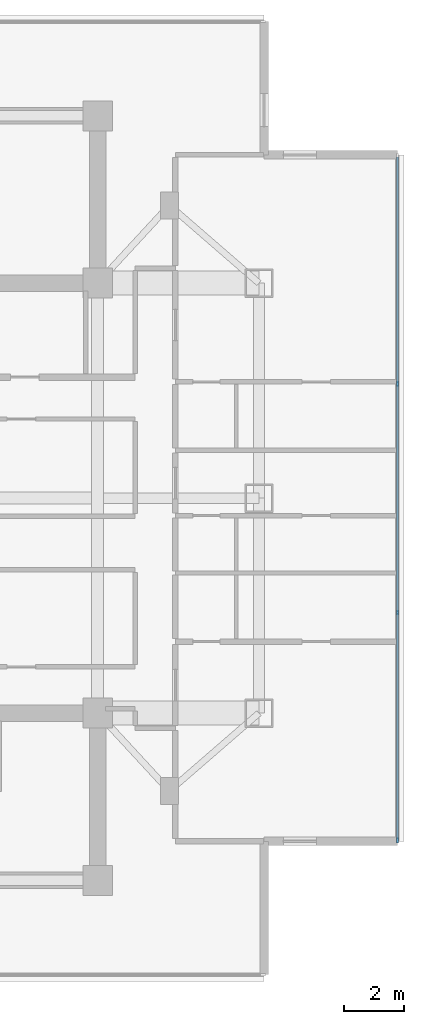
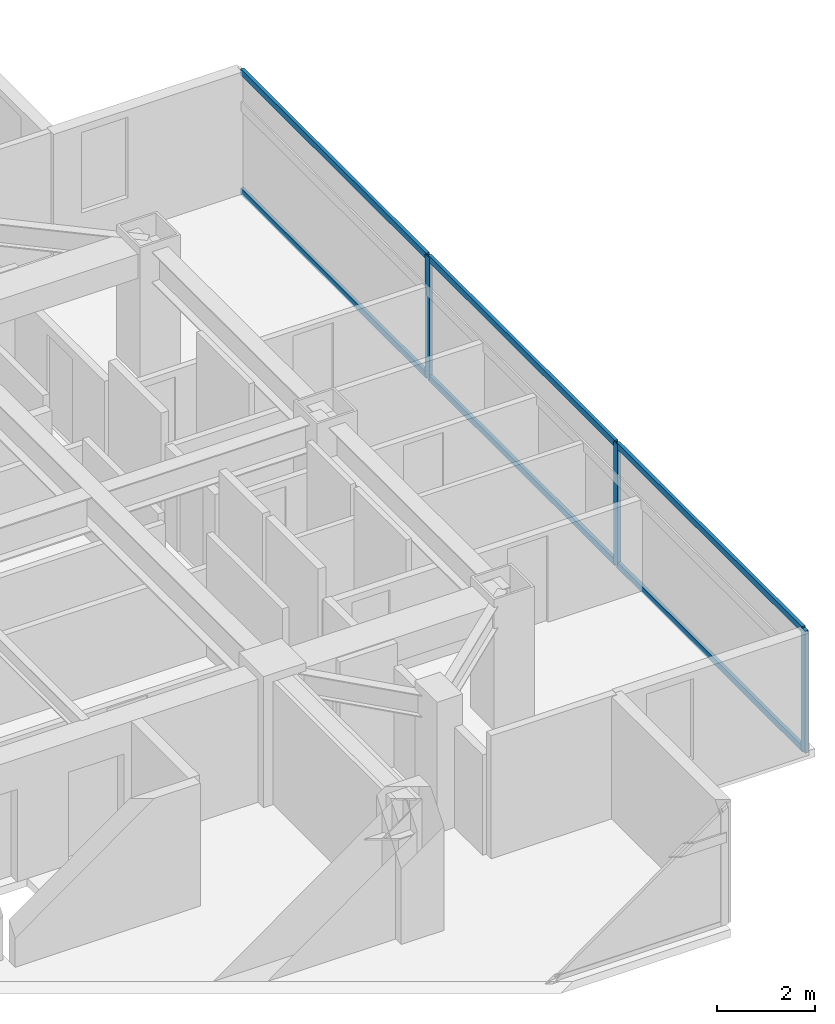
# One storey, part 9 of 25: 9 members, 1 element without a shape of its own.
"""IFC4 building model written with IfcOpenShell, lengths in metres."""

from ifc_helpers import new_model, si_unit, direction, frame, origin, origin_2d, place, context, subcontext, project, spatial, rectangle, extrude, material, material_profile, profile_set, type_object, element, aggregate, save


model = new_model("IFC4")

# Units and contexts
model_context = context("Model", 3, precision=1e-05, world=origin(), true_north=direction((0.0, 1.0)))
body_context = subcontext(model_context, "Body", "Model", "MODEL_VIEW")
ifc_project = project(units=[si_unit("LENGTHUNIT", "METRE"), si_unit("AREAUNIT", "SQUARE_METRE"), si_unit("VOLUMEUNIT", "CUBIC_METRE"), si_unit("PLANEANGLEUNIT", "RADIAN"), si_unit("MASSUNIT", "GRAM", prefix="KILO")], contexts=[model_context])

# Site, building, storey
site_placement = place(None, origin())
site = spatial("IfcSite", under=ifc_project, at=site_placement, CompositionType="ELEMENT")
building_placement = place(site_placement, origin())
building = spatial("IfcBuilding", under=site, at=building_placement, Name="Mirazonda Arch Towers", CompositionType="ELEMENT")
storey_placement = place(building_placement, frame((0.0, 0.0, 180.39990234375)))
storey = spatial("IfcBuildingStorey", under=building, at=storey_placement, Name="L51", CompositionType="ELEMENT", Elevation=180.39990234375)

# Curtain wall, members
ifc_material_1 = material(Name="Anodised Aluminium and Low-E Glass", Category="aluminium")
curtain_wall_type = type_object("IfcCurtainWallType", Name="CW-RES-UNIT", PredefinedType="NOTDEFINED", material=ifc_material_1)
curtain_wall_placement = place(storey_placement, origin())
curtain_wall = element("IfcCurtainWall", 1, at=curtain_wall_placement, inside=storey, type_object=curtain_wall_type, Name="L51 T2 E Facade CW-L51-T2-E", PredefinedType="NOTDEFINED")
ifc_material_2 = material(Name="Anodised Aluminium Alloy", Category="aluminium")
ifc_material_profile_1 = material_profile(ifc_material_2, rectangle(XDim=0.074951171875, YDim=0.175048828125, at=origin_2d()), Name="ALU-MULL-75x175")
ifc_profile_set_1 = profile_set([ifc_material_profile_1], Name="Anodised Aluminium Alloy")
member_type_1 = type_object("IfcMemberType", Name="MULL-CW-RES-UNIT", PredefinedType="MULLION", material=ifc_profile_set_1)
member_1_placement = place(storey_placement, frame((95.03662109375, 16.544921875, 0.0), z_axis=(0.0, 0.0, 1.0), x_axis=(-1.0, 0.0, 0.0)))
member_1 = element("IfcMember", 2, at=member_1_placement, type_object=member_type_1, Name="CW-104 mullion 1", PredefinedType="MULLION", context=body_context, shape_type="SweptSolid", body=[
    extrude(rectangle(XDim=0.074951171875, YDim=0.175048828125, at=origin_2d()), origin(), (0.0, 0.0, 1.0), 3.030029296875),
])
member_2_placement = place(storey_placement, frame((95.03662109375, 24.169189453125, 0.0), z_axis=(0.0, 0.0, 1.0), x_axis=(-1.0, 0.0, 0.0)))
member_2 = element("IfcMember", 3, at=member_2_placement, type_object=member_type_1, Name="CW-104 mullion 2", PredefinedType="MULLION", context=body_context, shape_type="SweptSolid", body=[
    extrude(rectangle(XDim=0.074951171875, YDim=0.175048828125, at=origin_2d()), origin(), (0.0, 0.0, 1.0), 3.030029296875),
])
member_3_placement = place(storey_placement, frame((95.03662109375, 31.830810546875, 0.0), z_axis=(0.0, 0.0, 1.0), x_axis=(-1.0, 0.0, 0.0)))
member_3 = element("IfcMember", 4, at=member_3_placement, type_object=member_type_1, Name="CW-104 mullion 3", PredefinedType="MULLION", context=body_context, shape_type="SweptSolid", body=[
    extrude(rectangle(XDim=0.074951171875, YDim=0.175048828125, at=origin_2d()), origin(), (0.0, 0.0, 1.0), 3.030029296875),
])
ifc_material_profile_2 = material_profile(ifc_material_2, rectangle(XDim=0.074951171875, YDim=0.155029296875, at=origin_2d()), Name="ALU-TRAN-75x155")
ifc_profile_set_2 = profile_set([ifc_material_profile_2], Name="Anodised Aluminium Alloy")
member_type_2 = type_object("IfcMemberType", Name="TRAN-CW-RES-UNIT", PredefinedType="USERDEFINED", material=ifc_profile_set_2)
member_4_placement = place(storey_placement, frame((95.03662109375, 16.582275390625, 0.03759765625), z_axis=(0.0, 1.0, 0.0), x_axis=(-1.0, 0.0, 0.0)))
member_4 = element("IfcMember", 5, at=member_4_placement, type_object=member_type_2, Name="CW-104 transom 1.1", ObjectType="TRANSOM", PredefinedType="USERDEFINED", context=body_context, shape_type="SweptSolid", body=[
    extrude(rectangle(XDim=0.074951171875, YDim=0.155029296875, at=origin_2d()), origin(), (0.0, 0.0, 1.0), 7.54931640625),
])
member_5_placement = place(storey_placement, frame((95.03662109375, 16.582275390625, 2.99267578125), z_axis=(0.0, 1.0, 0.0), x_axis=(-1.0, 0.0, 0.0)))
member_5 = element("IfcMember", 6, at=member_5_placement, type_object=member_type_2, Name="CW-104 transom 1.2", ObjectType="TRANSOM", PredefinedType="USERDEFINED", context=body_context, shape_type="SweptSolid", body=[
    extrude(rectangle(XDim=0.074951171875, YDim=0.155029296875, at=origin_2d()), origin(), (0.0, 0.0, 1.0), 7.54931640625),
])
member_6_placement = place(storey_placement, frame((95.03662109375, 24.20654296875, 0.03759765625), z_axis=(0.0, 1.0, 0.0), x_axis=(-1.0, 0.0, 0.0)))
member_6 = element("IfcMember", 7, at=member_6_placement, type_object=member_type_2, Name="CW-104 transom 2.1", ObjectType="TRANSOM", PredefinedType="USERDEFINED", context=body_context, shape_type="SweptSolid", body=[
    extrude(rectangle(XDim=0.074951171875, YDim=0.155029296875, at=origin_2d()), origin(), (0.0, 0.0, 1.0), 7.5869140625),
])
member_7_placement = place(storey_placement, frame((95.03662109375, 24.20654296875, 2.99267578125), z_axis=(0.0, 1.0, 0.0), x_axis=(-1.0, 0.0, 0.0)))
member_7 = element("IfcMember", 8, at=member_7_placement, type_object=member_type_2, Name="CW-104 transom 2.2", ObjectType="TRANSOM", PredefinedType="USERDEFINED", context=body_context, shape_type="SweptSolid", body=[
    extrude(rectangle(XDim=0.074951171875, YDim=0.155029296875, at=origin_2d()), origin(), (0.0, 0.0, 1.0), 7.5869140625),
])
member_8_placement = place(storey_placement, frame((95.03662109375, 31.868408203125, 0.03759765625), z_axis=(0.0, 1.0, 0.0), x_axis=(-1.0, 0.0, 0.0)))
member_8 = element("IfcMember", 9, at=member_8_placement, type_object=member_type_2, Name="CW-104 transom 3.1", ObjectType="TRANSOM", PredefinedType="USERDEFINED", context=body_context, shape_type="SweptSolid", body=[
    extrude(rectangle(XDim=0.074951171875, YDim=0.155029296875, at=origin_2d()), origin(), (0.0, 0.0, 1.0), 7.54931640625),
])
member_9_placement = place(storey_placement, frame((95.03662109375, 31.868408203125, 2.99267578125), z_axis=(0.0, 1.0, 0.0), x_axis=(-1.0, 0.0, 0.0)))
member_9 = element("IfcMember", 10, at=member_9_placement, type_object=member_type_2, Name="CW-104 transom 3.2", ObjectType="TRANSOM", PredefinedType="USERDEFINED", context=body_context, shape_type="SweptSolid", body=[
    extrude(rectangle(XDim=0.074951171875, YDim=0.155029296875, at=origin_2d()), origin(), (0.0, 0.0, 1.0), 7.54931640625),
])
aggregate(curtain_wall, [member_1, member_2, member_3, member_4, member_5, member_6, member_7, member_8, member_9])

save(model, "model.ifc")
